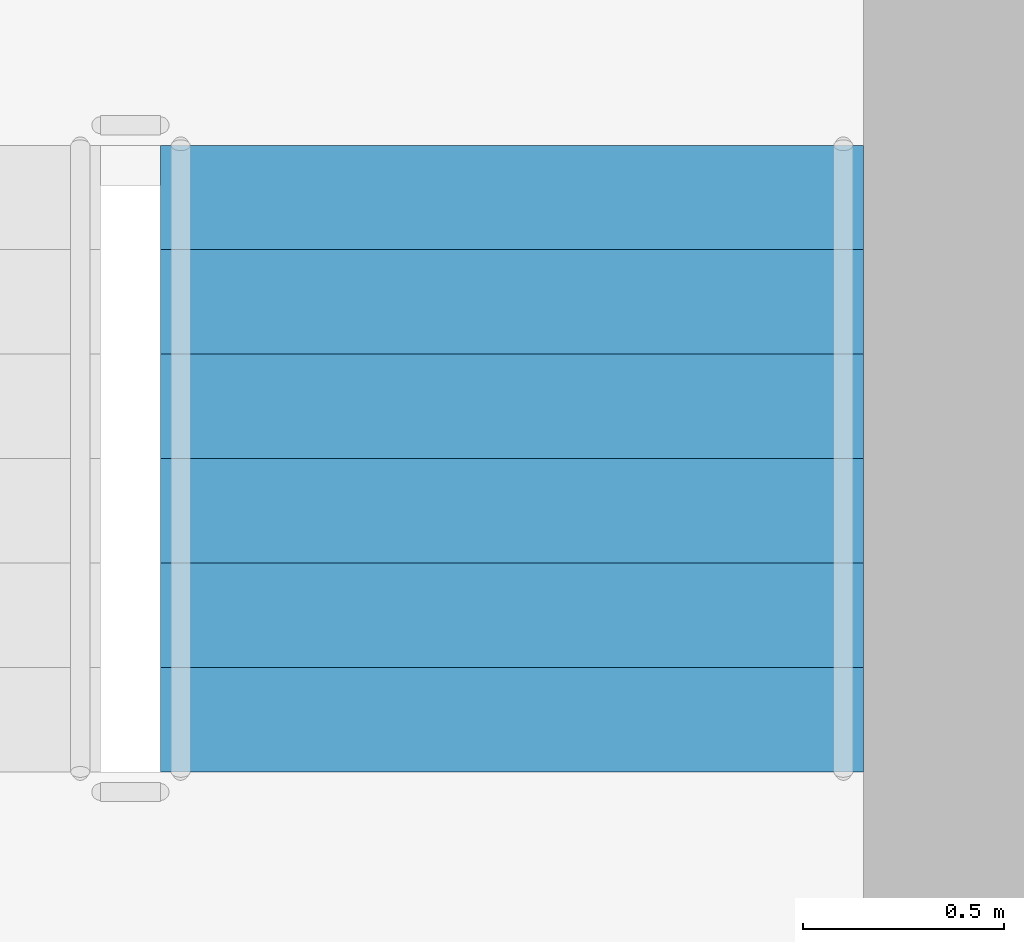
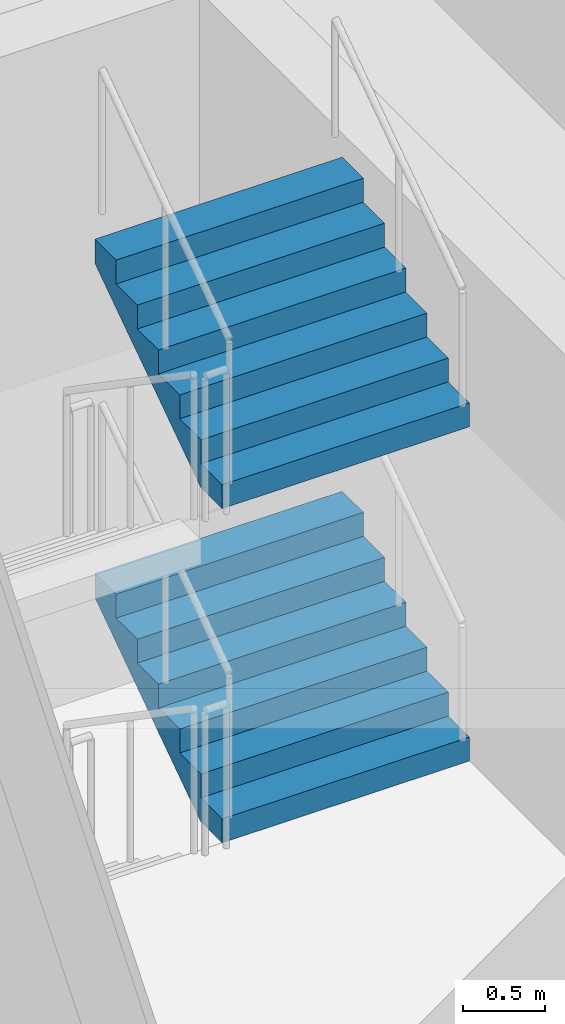
# One storey, part 23 of 34: 2 stair flights, 1 element without a shape of its own.
"""IFC4 building model written with IfcOpenShell, lengths in metres."""

from ifc_helpers import new_model, si_unit, direction, frame, origin, place, context, subcontext, project, spatial, faceted_brep, material, type_object, element, aggregate, save


model = new_model("IFC4")

# Units and contexts
model_context = context("Model", 3, precision=1e-05, world=origin(), true_north=direction((0.0, 1.0)))
body_context = subcontext(model_context, "Body", "Model", "MODEL_VIEW")
ifc_project = project(units=[si_unit("LENGTHUNIT", "METRE"), si_unit("AREAUNIT", "SQUARE_METRE"), si_unit("VOLUMEUNIT", "CUBIC_METRE"), si_unit("PLANEANGLEUNIT", "RADIAN"), si_unit("MASSUNIT", "GRAM", prefix="KILO")], contexts=[model_context])

# Site, building, storey
site_placement = place(None, origin())
site = spatial("IfcSite", under=ifc_project, at=site_placement, CompositionType="ELEMENT")
building_placement = place(site_placement, origin())
building = spatial("IfcBuilding", under=site, at=building_placement, Name="Ipe Terrace Towers", CompositionType="ELEMENT")
storey_placement = place(building_placement, frame((0.0, 0.0, 128.699951171875)))
storey = spatial("IfcBuildingStorey", under=building, at=storey_placement, Name="L35", CompositionType="ELEMENT", Elevation=128.699951171875)

# Stair, stair flights
ifc_material_1 = material(Name="Concrete C30/37", Category="concrete")
stair_type = type_object("IfcStairType", Name="Protected exit stair", PredefinedType="HALF_TURN_STAIR", material=ifc_material_1)
stair_placement = place(storey_placement, origin())
stair = element("IfcStair", 1, at=stair_placement, inside=storey, type_object=stair_type, Name="L35 Exit stair T2-C2", PredefinedType="HALF_TURN_STAIR")
ifc_material_2 = material(Name="Concrete C30/37", Category="concrete")
stair_flight_type = type_object("IfcStairFlightType", Name="Exit stair flight 1750", PredefinedType="STRAIGHT", material=ifc_material_2)
stair_flight_1_placement = place(storey_placement, frame((40.675048828125, -11.260009765625, 1.25), z_axis=(0.0, 0.0, 1.0), x_axis=(0.0, 1.0, 0.0)))
stair_flight_1 = element("IfcStairFlight", 2, at=stair_flight_1_placement, type_object=stair_flight_type, Name="T2-ST2 flight 2", NumberOfRisers=7, NumberOfTreads=6, PredefinedType="STRAIGHT", RiserHeight=0.178571429, TreadLength=0.26, context=body_context, shape_type="Brep", body=[
    faceted_brep([(0.264892578125, -0.875, 0.0), (1.56005859375, -0.875, 0.8896484375), (1.56005859375, -0.875, 1.071533203125), (1.300048828125, -0.875, 1.071533203125), (1.300048828125, -0.875, 0.892822265625), (1.0400390625, -0.875, 0.892822265625), (1.0400390625, -0.875, 0.71435546875), (0.780029296875, -0.875, 0.71435546875), (0.780029296875, -0.875, 0.53564453125), (0.52001953125, -0.875, 0.53564453125), (0.52001953125, -0.875, 0.357177734375), (0.260009765625, -0.875, 0.357177734375), (0.260009765625, -0.875, 0.178466796875), (0.0, -0.875, 0.178466796875), (0.0, -0.875, 0.0), (0.0, 0.875, 0.0), (0.0, 0.875, 0.178466796875), (0.260009765625, 0.875, 0.178466796875), (0.260009765625, 0.875, 0.357177734375), (0.52001953125, 0.875, 0.357177734375), (0.52001953125, 0.875, 0.53564453125), (0.780029296875, 0.875, 0.53564453125), (0.780029296875, 0.875, 0.71435546875), (1.0400390625, 0.875, 0.71435546875), (1.0400390625, 0.875, 0.892822265625), (1.300048828125, 0.875, 0.892822265625), (1.300048828125, 0.875, 1.071533203125), (1.56005859375, 0.875, 1.071533203125), (1.56005859375, 0.875, 0.8896484375), (0.264892578125, 0.875, 0.0), (0.0, -0.300048828125, 0.178466796875), (0.0, -0.1201171875, 0.178466796875), (0.0, -0.06005859375, 0.178466796875), (0.0, -0.030029296875, 0.178466796875), (0.0, -0.010009765625, 0.178466796875), (0.0, 0.0, 0.178466796875), (0.0, 0.010009765625, 0.178466796875), (0.0, 0.030029296875, 0.178466796875), (0.0, 0.06005859375, 0.178466796875), (0.0, 0.1201171875, 0.178466796875), (0.0, 0.300048828125, 0.178466796875), (0.0, 0.300048828125, 0.0), (0.0, 0.1201171875, 0.0), (0.0, 0.06005859375, 0.0), (0.0, 0.030029296875, 0.0), (0.0, 0.010009765625, 0.0), (0.0, 0.0, 0.0), (0.0, -0.010009765625, 0.0), (0.0, -0.030029296875, 0.0), (0.0, -0.06005859375, 0.0), (0.0, -0.1201171875, 0.0), (0.0, -0.300048828125, 0.0), (0.260009765625, -0.300048828125, 0.178466796875), (0.260009765625, -0.1201171875, 0.178466796875), (0.260009765625, -0.06005859375, 0.178466796875), (0.260009765625, -0.030029296875, 0.178466796875), (0.260009765625, -0.010009765625, 0.178466796875), (0.260009765625, 0.0, 0.178466796875), (0.260009765625, 0.010009765625, 0.178466796875), (0.260009765625, 0.030029296875, 0.178466796875), (0.260009765625, 0.06005859375, 0.178466796875), (0.260009765625, 0.1201171875, 0.178466796875), (0.260009765625, 0.300048828125, 0.178466796875), (0.260009765625, -0.300048828125, 0.357177734375), (0.260009765625, -0.1201171875, 0.357177734375), (0.260009765625, -0.06005859375, 0.357177734375), (0.260009765625, -0.030029296875, 0.357177734375), (0.260009765625, -0.010009765625, 0.357177734375), (0.260009765625, 0.0, 0.357177734375), (0.260009765625, 0.010009765625, 0.357177734375), (0.260009765625, 0.030029296875, 0.357177734375), (0.260009765625, 0.06005859375, 0.357177734375), (0.260009765625, 0.1201171875, 0.357177734375), (0.260009765625, 0.300048828125, 0.357177734375), (0.52001953125, -0.300048828125, 0.357177734375), (0.52001953125, -0.1201171875, 0.357177734375), (0.52001953125, -0.06005859375, 0.357177734375), (0.52001953125, -0.030029296875, 0.357177734375), (0.52001953125, -0.010009765625, 0.357177734375), (0.52001953125, 0.0, 0.357177734375), (0.52001953125, 0.010009765625, 0.357177734375), (0.52001953125, 0.030029296875, 0.357177734375), (0.52001953125, 0.06005859375, 0.357177734375), (0.52001953125, 0.1201171875, 0.357177734375), (0.52001953125, 0.300048828125, 0.357177734375), (0.52001953125, -0.300048828125, 0.53564453125), (0.52001953125, -0.1201171875, 0.53564453125), (0.52001953125, -0.06005859375, 0.53564453125), (0.52001953125, -0.030029296875, 0.53564453125), (0.52001953125, -0.010009765625, 0.53564453125), (0.52001953125, 0.0, 0.53564453125), (0.52001953125, 0.010009765625, 0.53564453125), (0.52001953125, 0.030029296875, 0.53564453125), (0.52001953125, 0.06005859375, 0.53564453125), (0.52001953125, 0.1201171875, 0.53564453125), (0.52001953125, 0.300048828125, 0.53564453125), (0.780029296875, -0.300048828125, 0.53564453125), (0.780029296875, -0.1201171875, 0.53564453125), (0.780029296875, -0.06005859375, 0.53564453125), (0.780029296875, -0.030029296875, 0.53564453125), (0.780029296875, -0.010009765625, 0.53564453125), (0.780029296875, 0.0, 0.53564453125), (0.780029296875, 0.010009765625, 0.53564453125), (0.780029296875, 0.030029296875, 0.53564453125), (0.780029296875, 0.06005859375, 0.53564453125), (0.780029296875, 0.1201171875, 0.53564453125), (0.780029296875, 0.300048828125, 0.53564453125), (0.780029296875, -0.300048828125, 0.71435546875), (0.780029296875, -0.1201171875, 0.71435546875), (0.780029296875, -0.06005859375, 0.71435546875), (0.780029296875, -0.030029296875, 0.71435546875), (0.780029296875, -0.010009765625, 0.71435546875), (0.780029296875, 0.0, 0.71435546875), (0.780029296875, 0.010009765625, 0.71435546875), (0.780029296875, 0.030029296875, 0.71435546875), (0.780029296875, 0.06005859375, 0.71435546875), (0.780029296875, 0.1201171875, 0.71435546875), (0.780029296875, 0.300048828125, 0.71435546875), (1.0400390625, -0.300048828125, 0.71435546875), (1.0400390625, -0.1201171875, 0.71435546875), (1.0400390625, -0.06005859375, 0.71435546875), (1.0400390625, -0.030029296875, 0.71435546875), (1.0400390625, -0.010009765625, 0.71435546875), (1.0400390625, 0.0, 0.71435546875), (1.0400390625, 0.010009765625, 0.71435546875), (1.0400390625, 0.030029296875, 0.71435546875), (1.0400390625, 0.06005859375, 0.71435546875), (1.0400390625, 0.1201171875, 0.71435546875), (1.0400390625, 0.300048828125, 0.71435546875), (1.0400390625, -0.300048828125, 0.892822265625), (1.0400390625, -0.1201171875, 0.892822265625), (1.0400390625, -0.06005859375, 0.892822265625), (1.0400390625, -0.030029296875, 0.892822265625), (1.0400390625, -0.010009765625, 0.892822265625), (1.0400390625, 0.0, 0.892822265625), (1.0400390625, 0.010009765625, 0.892822265625), (1.0400390625, 0.030029296875, 0.892822265625), (1.0400390625, 0.06005859375, 0.892822265625), (1.0400390625, 0.1201171875, 0.892822265625), (1.0400390625, 0.300048828125, 0.892822265625), (1.300048828125, -0.300048828125, 0.892822265625), (1.300048828125, -0.1201171875, 0.892822265625), (1.300048828125, -0.06005859375, 0.892822265625), (1.300048828125, -0.030029296875, 0.892822265625), (1.300048828125, -0.010009765625, 0.892822265625), (1.300048828125, 0.0, 0.892822265625), (1.300048828125, 0.010009765625, 0.892822265625), (1.300048828125, 0.030029296875, 0.892822265625), (1.300048828125, 0.06005859375, 0.892822265625), (1.300048828125, 0.1201171875, 0.892822265625), (1.300048828125, 0.300048828125, 0.892822265625), (1.300048828125, -0.300048828125, 1.071533203125), (1.300048828125, -0.1201171875, 1.071533203125), (1.300048828125, -0.06005859375, 1.071533203125), (1.300048828125, -0.030029296875, 1.071533203125), (1.300048828125, -0.010009765625, 1.071533203125), (1.300048828125, 0.0, 1.071533203125), (1.300048828125, 0.010009765625, 1.071533203125), (1.300048828125, 0.030029296875, 1.071533203125), (1.300048828125, 0.06005859375, 1.071533203125), (1.300048828125, 0.1201171875, 1.071533203125), (1.300048828125, 0.300048828125, 1.071533203125), (1.56005859375, -0.300048828125, 1.071533203125), (1.56005859375, -0.1201171875, 1.071533203125), (1.56005859375, -0.06005859375, 1.071533203125), (1.56005859375, -0.030029296875, 1.071533203125), (1.56005859375, -0.010009765625, 1.071533203125), (1.56005859375, 0.0, 1.071533203125), (1.56005859375, 0.010009765625, 1.071533203125), (1.56005859375, 0.030029296875, 1.071533203125), (1.56005859375, 0.06005859375, 1.071533203125), (1.56005859375, 0.1201171875, 1.071533203125), (1.56005859375, 0.300048828125, 1.071533203125), (1.56005859375, -0.300048828125, 0.8896484375), (1.56005859375, -0.1201171875, 0.8896484375), (1.56005859375, -0.06005859375, 0.8896484375), (1.56005859375, -0.030029296875, 0.8896484375), (1.56005859375, -0.010009765625, 0.8896484375), (1.56005859375, 0.0, 0.8896484375), (1.56005859375, 0.010009765625, 0.8896484375), (1.56005859375, 0.030029296875, 0.8896484375), (1.56005859375, 0.06005859375, 0.8896484375), (1.56005859375, 0.1201171875, 0.8896484375), (1.56005859375, 0.300048828125, 0.8896484375), (0.264892578125, -0.300048828125, 0.0), (0.264892578125, -0.1201171875, 0.0), (0.264892578125, -0.06005859375, 0.0), (0.264892578125, -0.030029296875, 0.0), (0.264892578125, -0.010009765625, 0.0), (0.264892578125, 0.0, 0.0), (0.264892578125, 0.010009765625, 0.0), (0.264892578125, 0.030029296875, 0.0), (0.264892578125, 0.06005859375, 0.0), (0.264892578125, 0.1201171875, 0.0), (0.264892578125, 0.300048828125, 0.0)], [[[0, 1, 2, 3, 4, 5, 6, 7, 8, 9, 10, 11, 12, 13, 14]], [[15, 16, 17, 18, 19, 20, 21, 22, 23, 24, 25, 26, 27, 28, 29]], [[13, 30, 31, 32, 33, 34, 35, 36, 37, 38, 39, 40, 16, 15, 41, 42, 43, 44, 45, 46, 47, 48, 49, 50, 51, 14]], [[12, 52, 53, 54, 55, 56, 57, 58, 59, 60, 61, 62, 17, 16, 40, 39, 38, 37, 36, 35, 34, 33, 32, 31, 30, 13]], [[11, 63, 64, 65, 66, 67, 68, 69, 70, 71, 72, 73, 18, 17, 62, 61, 60, 59, 58, 57, 56, 55, 54, 53, 52, 12]], [[10, 74, 75, 76, 77, 78, 79, 80, 81, 82, 83, 84, 19, 18, 73, 72, 71, 70, 69, 68, 67, 66, 65, 64, 63, 11]], [[9, 85, 86, 87, 88, 89, 90, 91, 92, 93, 94, 95, 20, 19, 84, 83, 82, 81, 80, 79, 78, 77, 76, 75, 74, 10]], [[8, 96, 97, 98, 99, 100, 101, 102, 103, 104, 105, 106, 21, 20, 95, 94, 93, 92, 91, 90, 89, 88, 87, 86, 85, 9]], [[7, 107, 108, 109, 110, 111, 112, 113, 114, 115, 116, 117, 22, 21, 106, 105, 104, 103, 102, 101, 100, 99, 98, 97, 96, 8]], [[6, 118, 119, 120, 121, 122, 123, 124, 125, 126, 127, 128, 23, 22, 117, 116, 115, 114, 113, 112, 111, 110, 109, 108, 107, 7]], [[5, 129, 130, 131, 132, 133, 134, 135, 136, 137, 138, 139, 24, 23, 128, 127, 126, 125, 124, 123, 122, 121, 120, 119, 118, 6]], [[4, 140, 141, 142, 143, 144, 145, 146, 147, 148, 149, 150, 25, 24, 139, 138, 137, 136, 135, 134, 133, 132, 131, 130, 129, 5]], [[3, 151, 152, 153, 154, 155, 156, 157, 158, 159, 160, 161, 26, 25, 150, 149, 148, 147, 146, 145, 144, 143, 142, 141, 140, 4]], [[2, 162, 163, 164, 165, 166, 167, 168, 169, 170, 171, 172, 27, 26, 161, 160, 159, 158, 157, 156, 155, 154, 153, 152, 151, 3]], [[1, 173, 174, 175, 176, 177, 178, 179, 180, 181, 182, 183, 28, 27, 172, 171, 170, 169, 168, 167, 166, 165, 164, 163, 162, 2]], [[0, 184, 185, 186, 187, 188, 189, 190, 191, 192, 193, 194, 29, 28, 183, 182, 181, 180, 179, 178, 177, 176, 175, 174, 173, 1]], [[14, 51, 50, 49, 48, 47, 46, 45, 44, 43, 42, 41, 15, 29, 194, 193, 192, 191, 190, 189, 188, 187, 186, 185, 184, 0]]]),
])
stair_flight_2_placement = place(storey_placement, frame((40.675048828125, -11.260009765625, 3.75), z_axis=(0.0, 0.0, 1.0), x_axis=(0.0, 1.0, 0.0)))
stair_flight_2 = element("IfcStairFlight", 3, at=stair_flight_2_placement, type_object=stair_flight_type, Name="T2-ST2 flight 4", NumberOfRisers=7, NumberOfTreads=6, PredefinedType="STRAIGHT", RiserHeight=0.178571429, TreadLength=0.26, context=body_context, shape_type="Brep", body=[
    faceted_brep([(0.264892578125, -0.875, 0.0), (1.56005859375, -0.875, 0.8896484375), (1.56005859375, -0.875, 1.071533203125), (1.300048828125, -0.875, 1.071533203125), (1.300048828125, -0.875, 0.892822265625), (1.0400390625, -0.875, 0.892822265625), (1.0400390625, -0.875, 0.71435546875), (0.780029296875, -0.875, 0.71435546875), (0.780029296875, -0.875, 0.53564453125), (0.52001953125, -0.875, 0.53564453125), (0.52001953125, -0.875, 0.357177734375), (0.260009765625, -0.875, 0.357177734375), (0.260009765625, -0.875, 0.178466796875), (0.0, -0.875, 0.178466796875), (0.0, -0.875, 0.0), (0.0, 0.875, 0.0), (0.0, 0.875, 0.178466796875), (0.260009765625, 0.875, 0.178466796875), (0.260009765625, 0.875, 0.357177734375), (0.52001953125, 0.875, 0.357177734375), (0.52001953125, 0.875, 0.53564453125), (0.780029296875, 0.875, 0.53564453125), (0.780029296875, 0.875, 0.71435546875), (1.0400390625, 0.875, 0.71435546875), (1.0400390625, 0.875, 0.892822265625), (1.300048828125, 0.875, 0.892822265625), (1.300048828125, 0.875, 1.071533203125), (1.56005859375, 0.875, 1.071533203125), (1.56005859375, 0.875, 0.8896484375), (0.264892578125, 0.875, 0.0), (0.0, -0.300048828125, 0.178466796875), (0.0, -0.1201171875, 0.178466796875), (0.0, -0.06005859375, 0.178466796875), (0.0, -0.030029296875, 0.178466796875), (0.0, -0.010009765625, 0.178466796875), (0.0, 0.0, 0.178466796875), (0.0, 0.010009765625, 0.178466796875), (0.0, 0.030029296875, 0.178466796875), (0.0, 0.06005859375, 0.178466796875), (0.0, 0.1201171875, 0.178466796875), (0.0, 0.300048828125, 0.178466796875), (0.0, 0.300048828125, 0.0), (0.0, 0.1201171875, 0.0), (0.0, 0.06005859375, 0.0), (0.0, 0.030029296875, 0.0), (0.0, 0.010009765625, 0.0), (0.0, 0.0, 0.0), (0.0, -0.010009765625, 0.0), (0.0, -0.030029296875, 0.0), (0.0, -0.06005859375, 0.0), (0.0, -0.1201171875, 0.0), (0.0, -0.300048828125, 0.0), (0.260009765625, -0.300048828125, 0.178466796875), (0.260009765625, -0.1201171875, 0.178466796875), (0.260009765625, -0.06005859375, 0.178466796875), (0.260009765625, -0.030029296875, 0.178466796875), (0.260009765625, -0.010009765625, 0.178466796875), (0.260009765625, 0.0, 0.178466796875), (0.260009765625, 0.010009765625, 0.178466796875), (0.260009765625, 0.030029296875, 0.178466796875), (0.260009765625, 0.06005859375, 0.178466796875), (0.260009765625, 0.1201171875, 0.178466796875), (0.260009765625, 0.300048828125, 0.178466796875), (0.260009765625, -0.300048828125, 0.357177734375), (0.260009765625, -0.1201171875, 0.357177734375), (0.260009765625, -0.06005859375, 0.357177734375), (0.260009765625, -0.030029296875, 0.357177734375), (0.260009765625, -0.010009765625, 0.357177734375), (0.260009765625, 0.0, 0.357177734375), (0.260009765625, 0.010009765625, 0.357177734375), (0.260009765625, 0.030029296875, 0.357177734375), (0.260009765625, 0.06005859375, 0.357177734375), (0.260009765625, 0.1201171875, 0.357177734375), (0.260009765625, 0.300048828125, 0.357177734375), (0.52001953125, -0.300048828125, 0.357177734375), (0.52001953125, -0.1201171875, 0.357177734375), (0.52001953125, -0.06005859375, 0.357177734375), (0.52001953125, -0.030029296875, 0.357177734375), (0.52001953125, -0.010009765625, 0.357177734375), (0.52001953125, 0.0, 0.357177734375), (0.52001953125, 0.010009765625, 0.357177734375), (0.52001953125, 0.030029296875, 0.357177734375), (0.52001953125, 0.06005859375, 0.357177734375), (0.52001953125, 0.1201171875, 0.357177734375), (0.52001953125, 0.300048828125, 0.357177734375), (0.52001953125, -0.300048828125, 0.53564453125), (0.52001953125, -0.1201171875, 0.53564453125), (0.52001953125, -0.06005859375, 0.53564453125), (0.52001953125, -0.030029296875, 0.53564453125), (0.52001953125, -0.010009765625, 0.53564453125), (0.52001953125, 0.0, 0.53564453125), (0.52001953125, 0.010009765625, 0.53564453125), (0.52001953125, 0.030029296875, 0.53564453125), (0.52001953125, 0.06005859375, 0.53564453125), (0.52001953125, 0.1201171875, 0.53564453125), (0.52001953125, 0.300048828125, 0.53564453125), (0.780029296875, -0.300048828125, 0.53564453125), (0.780029296875, -0.1201171875, 0.53564453125), (0.780029296875, -0.06005859375, 0.53564453125), (0.780029296875, -0.030029296875, 0.53564453125), (0.780029296875, -0.010009765625, 0.53564453125), (0.780029296875, 0.0, 0.53564453125), (0.780029296875, 0.010009765625, 0.53564453125), (0.780029296875, 0.030029296875, 0.53564453125), (0.780029296875, 0.06005859375, 0.53564453125), (0.780029296875, 0.1201171875, 0.53564453125), (0.780029296875, 0.300048828125, 0.53564453125), (0.780029296875, -0.300048828125, 0.71435546875), (0.780029296875, -0.1201171875, 0.71435546875), (0.780029296875, -0.06005859375, 0.71435546875), (0.780029296875, -0.030029296875, 0.71435546875), (0.780029296875, -0.010009765625, 0.71435546875), (0.780029296875, 0.0, 0.71435546875), (0.780029296875, 0.010009765625, 0.71435546875), (0.780029296875, 0.030029296875, 0.71435546875), (0.780029296875, 0.06005859375, 0.71435546875), (0.780029296875, 0.1201171875, 0.71435546875), (0.780029296875, 0.300048828125, 0.71435546875), (1.0400390625, -0.300048828125, 0.71435546875), (1.0400390625, -0.1201171875, 0.71435546875), (1.0400390625, -0.06005859375, 0.71435546875), (1.0400390625, -0.030029296875, 0.71435546875), (1.0400390625, -0.010009765625, 0.71435546875), (1.0400390625, 0.0, 0.71435546875), (1.0400390625, 0.010009765625, 0.71435546875), (1.0400390625, 0.030029296875, 0.71435546875), (1.0400390625, 0.06005859375, 0.71435546875), (1.0400390625, 0.1201171875, 0.71435546875), (1.0400390625, 0.300048828125, 0.71435546875), (1.0400390625, -0.300048828125, 0.892822265625), (1.0400390625, -0.1201171875, 0.892822265625), (1.0400390625, -0.06005859375, 0.892822265625), (1.0400390625, -0.030029296875, 0.892822265625), (1.0400390625, -0.010009765625, 0.892822265625), (1.0400390625, 0.0, 0.892822265625), (1.0400390625, 0.010009765625, 0.892822265625), (1.0400390625, 0.030029296875, 0.892822265625), (1.0400390625, 0.06005859375, 0.892822265625), (1.0400390625, 0.1201171875, 0.892822265625), (1.0400390625, 0.300048828125, 0.892822265625), (1.300048828125, -0.300048828125, 0.892822265625), (1.300048828125, -0.1201171875, 0.892822265625), (1.300048828125, -0.06005859375, 0.892822265625), (1.300048828125, -0.030029296875, 0.892822265625), (1.300048828125, -0.010009765625, 0.892822265625), (1.300048828125, 0.0, 0.892822265625), (1.300048828125, 0.010009765625, 0.892822265625), (1.300048828125, 0.030029296875, 0.892822265625), (1.300048828125, 0.06005859375, 0.892822265625), (1.300048828125, 0.1201171875, 0.892822265625), (1.300048828125, 0.300048828125, 0.892822265625), (1.300048828125, -0.300048828125, 1.071533203125), (1.300048828125, -0.1201171875, 1.071533203125), (1.300048828125, -0.06005859375, 1.071533203125), (1.300048828125, -0.030029296875, 1.071533203125), (1.300048828125, -0.010009765625, 1.071533203125), (1.300048828125, 0.0, 1.071533203125), (1.300048828125, 0.010009765625, 1.071533203125), (1.300048828125, 0.030029296875, 1.071533203125), (1.300048828125, 0.06005859375, 1.071533203125), (1.300048828125, 0.1201171875, 1.071533203125), (1.300048828125, 0.300048828125, 1.071533203125), (1.56005859375, -0.300048828125, 1.071533203125), (1.56005859375, -0.1201171875, 1.071533203125), (1.56005859375, -0.06005859375, 1.071533203125), (1.56005859375, -0.030029296875, 1.071533203125), (1.56005859375, -0.010009765625, 1.071533203125), (1.56005859375, 0.0, 1.071533203125), (1.56005859375, 0.010009765625, 1.071533203125), (1.56005859375, 0.030029296875, 1.071533203125), (1.56005859375, 0.06005859375, 1.071533203125), (1.56005859375, 0.1201171875, 1.071533203125), (1.56005859375, 0.300048828125, 1.071533203125), (1.56005859375, -0.300048828125, 0.8896484375), (1.56005859375, -0.1201171875, 0.8896484375), (1.56005859375, -0.06005859375, 0.8896484375), (1.56005859375, -0.030029296875, 0.8896484375), (1.56005859375, -0.010009765625, 0.8896484375), (1.56005859375, 0.0, 0.8896484375), (1.56005859375, 0.010009765625, 0.8896484375), (1.56005859375, 0.030029296875, 0.8896484375), (1.56005859375, 0.06005859375, 0.8896484375), (1.56005859375, 0.1201171875, 0.8896484375), (1.56005859375, 0.300048828125, 0.8896484375), (0.264892578125, -0.300048828125, 0.0), (0.264892578125, -0.1201171875, 0.0), (0.264892578125, -0.06005859375, 0.0), (0.264892578125, -0.030029296875, 0.0), (0.264892578125, -0.010009765625, 0.0), (0.264892578125, 0.0, 0.0), (0.264892578125, 0.010009765625, 0.0), (0.264892578125, 0.030029296875, 0.0), (0.264892578125, 0.06005859375, 0.0), (0.264892578125, 0.1201171875, 0.0), (0.264892578125, 0.300048828125, 0.0)], [[[0, 1, 2, 3, 4, 5, 6, 7, 8, 9, 10, 11, 12, 13, 14]], [[15, 16, 17, 18, 19, 20, 21, 22, 23, 24, 25, 26, 27, 28, 29]], [[13, 30, 31, 32, 33, 34, 35, 36, 37, 38, 39, 40, 16, 15, 41, 42, 43, 44, 45, 46, 47, 48, 49, 50, 51, 14]], [[12, 52, 53, 54, 55, 56, 57, 58, 59, 60, 61, 62, 17, 16, 40, 39, 38, 37, 36, 35, 34, 33, 32, 31, 30, 13]], [[11, 63, 64, 65, 66, 67, 68, 69, 70, 71, 72, 73, 18, 17, 62, 61, 60, 59, 58, 57, 56, 55, 54, 53, 52, 12]], [[10, 74, 75, 76, 77, 78, 79, 80, 81, 82, 83, 84, 19, 18, 73, 72, 71, 70, 69, 68, 67, 66, 65, 64, 63, 11]], [[9, 85, 86, 87, 88, 89, 90, 91, 92, 93, 94, 95, 20, 19, 84, 83, 82, 81, 80, 79, 78, 77, 76, 75, 74, 10]], [[8, 96, 97, 98, 99, 100, 101, 102, 103, 104, 105, 106, 21, 20, 95, 94, 93, 92, 91, 90, 89, 88, 87, 86, 85, 9]], [[7, 107, 108, 109, 110, 111, 112, 113, 114, 115, 116, 117, 22, 21, 106, 105, 104, 103, 102, 101, 100, 99, 98, 97, 96, 8]], [[6, 118, 119, 120, 121, 122, 123, 124, 125, 126, 127, 128, 23, 22, 117, 116, 115, 114, 113, 112, 111, 110, 109, 108, 107, 7]], [[5, 129, 130, 131, 132, 133, 134, 135, 136, 137, 138, 139, 24, 23, 128, 127, 126, 125, 124, 123, 122, 121, 120, 119, 118, 6]], [[4, 140, 141, 142, 143, 144, 145, 146, 147, 148, 149, 150, 25, 24, 139, 138, 137, 136, 135, 134, 133, 132, 131, 130, 129, 5]], [[3, 151, 152, 153, 154, 155, 156, 157, 158, 159, 160, 161, 26, 25, 150, 149, 148, 147, 146, 145, 144, 143, 142, 141, 140, 4]], [[2, 162, 163, 164, 165, 166, 167, 168, 169, 170, 171, 172, 27, 26, 161, 160, 159, 158, 157, 156, 155, 154, 153, 152, 151, 3]], [[1, 173, 174, 175, 176, 177, 178, 179, 180, 181, 182, 183, 28, 27, 172, 171, 170, 169, 168, 167, 166, 165, 164, 163, 162, 2]], [[0, 184, 185, 186, 187, 188, 189, 190, 191, 192, 193, 194, 29, 28, 183, 182, 181, 180, 179, 178, 177, 176, 175, 174, 173, 1]], [[14, 51, 50, 49, 48, 47, 46, 45, 44, 43, 42, 41, 15, 29, 194, 193, 192, 191, 190, 189, 188, 187, 186, 185, 184, 0]]]),
])
aggregate(stair, [stair_flight_1, stair_flight_2])

save(model, "model.ifc")
